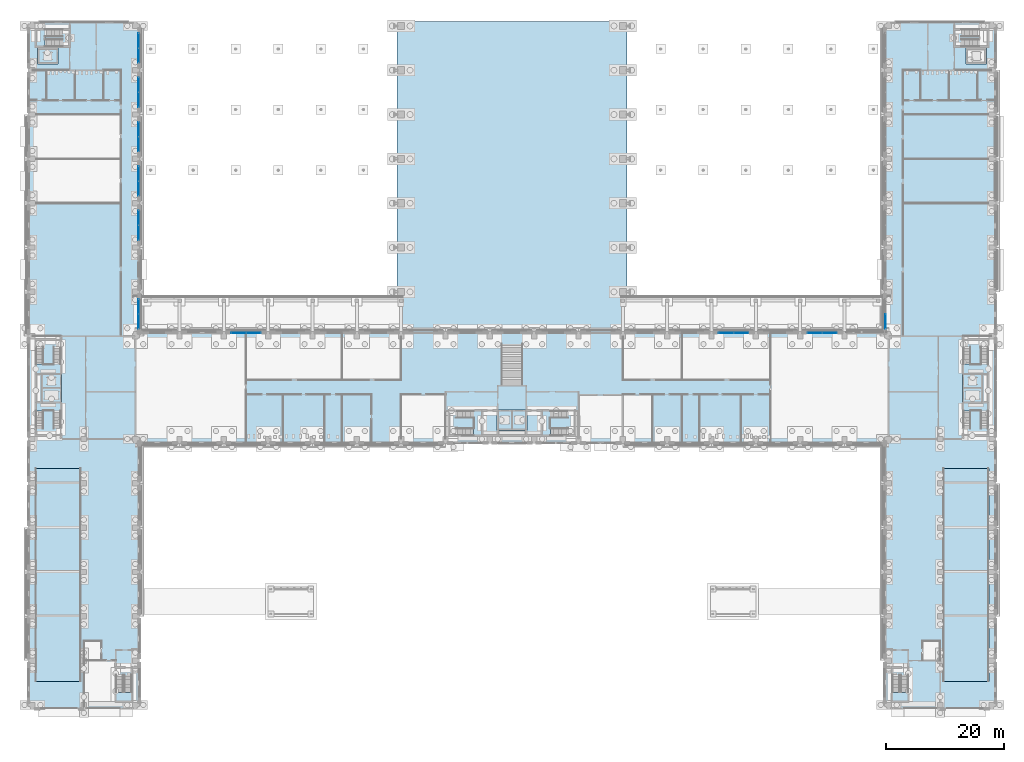
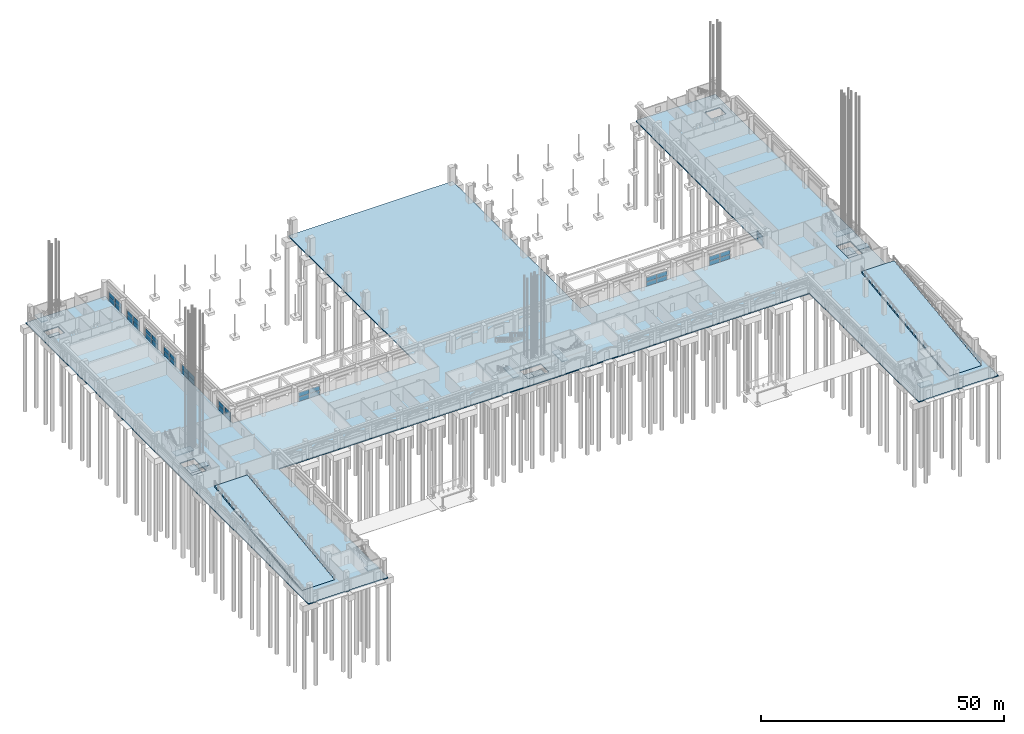
# One storey, part 29 of 99: 38 plates, 19 slabs, 19 elements without a shape of their own.
"""IFC4 building model written with IfcOpenShell, lengths in metres."""

from ifc_helpers import new_model, si_unit, direction, frame, origin, origin_2d, place, context, subcontext, project, spatial, polyline, rectangle, outline, extrude, material, layer, layer_set, type_object, element, aggregate, save


model = new_model("IFC4")

# Units and contexts
model_context = context("Model", 3, precision=1e-05, world=origin(), true_north=direction((0.0, 1.0)))
body_context = subcontext(model_context, "Body", "Model", "MODEL_VIEW")
ifc_project = project(units=[si_unit("LENGTHUNIT", "METRE"), si_unit("AREAUNIT", "SQUARE_METRE"), si_unit("VOLUMEUNIT", "CUBIC_METRE"), si_unit("PLANEANGLEUNIT", "RADIAN"), si_unit("MASSUNIT", "GRAM", prefix="KILO")], contexts=[model_context])

# Site, building, storey
site_placement = place(None, origin())
site = spatial("IfcSite", under=ifc_project, at=site_placement, CompositionType="ELEMENT")
building_placement = place(site_placement, origin())
building = spatial("IfcBuilding", under=site, at=building_placement, Name="Cour d'Honneur Mobility Palace", CompositionType="ELEMENT")
storey_placement = place(building_placement, origin())
storey = spatial("IfcBuildingStorey", under=building, at=storey_placement, Name="L00", CompositionType="ELEMENT", Elevation=0.0)

# Curtain wall, plates
ifc_material_1 = material(Name="Aluminium and glass", Category="aluminium")
ifc_layer_1 = layer(ifc_material_1, 0.10009765625)
ifc_layer_set_1 = layer_set([ifc_layer_1], Name="Aluminium and glass")
curtain_wall_type = type_object("IfcCurtainWallType", Name="Curtain wall run", PredefinedType="NOTDEFINED", material=ifc_layer_set_1)
curtain_wall_1_placement = place(storey_placement, origin())
curtain_wall_1 = element("IfcCurtainWall", 1, at=curtain_wall_1_placement, inside=storey, type_object=curtain_wall_type, Name="Curtain wall CW-6", PredefinedType="NOTDEFINED")
ifc_material_2 = material(Name="Double glazing", Category="glass")
ifc_layer_2 = layer(ifc_material_2, 0.028076171875)
ifc_layer_set_2 = layer_set([ifc_layer_2], Name="Double glazing")
plate_type = type_object("IfcPlateType", Name="Curtain wall panel", PredefinedType="CURTAIN_PANEL", material=ifc_layer_set_2)
plate_1_placement = place(storey_placement, frame((144.35009765625, 64.889892578125, 0.06005859375), z_axis=(0.0, 0.0, 1.0), x_axis=(0.0, -1.0, 0.0)))
plate_1 = element("IfcPlate", 2, at=plate_1_placement, type_object=plate_type, Name="CW-6 panel 2.1", PredefinedType="CURTAIN_PANEL", context=body_context, shape_type="SweptSolid", body=[
    extrude(rectangle(XDim=2.4599609375, YDim=0.028076171875, at=origin_2d()), origin(), (0.0, 0.0, 1.0), 1.110107421875),
])
plate_2_placement = place(storey_placement, frame((144.35009765625, 64.889892578125, 1.22998046875), z_axis=(0.0, 0.0, 1.0), x_axis=(0.0, -1.0, 0.0)))
plate_2 = element("IfcPlate", 3, at=plate_2_placement, type_object=plate_type, Name="CW-6 panel 2.2", PredefinedType="CURTAIN_PANEL", context=body_context, shape_type="SweptSolid", body=[
    extrude(rectangle(XDim=2.4599609375, YDim=0.028076171875, at=origin_2d()), origin(), (0.0, 0.0, 1.0), 1.110107421875),
])
aggregate(curtain_wall_1, [plate_1, plate_2])

curtain_wall_2_placement = place(storey_placement, origin())
curtain_wall_2 = element("IfcCurtainWall", 4, at=curtain_wall_2_placement, inside=storey, type_object=curtain_wall_type, Name="Curtain wall CW-7", PredefinedType="NOTDEFINED")
plate_3_placement = place(storey_placement, frame((134.909912109375, 62.949951171875, 0.06005859375), z_axis=(0.0, 0.0, 1.0), x_axis=(-1.0, 0.0, 0.0)))
plate_3 = element("IfcPlate", 5, at=plate_3_placement, type_object=plate_type, Name="CW-7 panel 1.1", PredefinedType="CURTAIN_PANEL", context=body_context, shape_type="SweptSolid", body=[
    extrude(rectangle(XDim=2.4599609375, YDim=0.028076171875, at=origin_2d()), origin(), (0.0, 0.0, 1.0), 1.110107421875),
])
plate_4_placement = place(storey_placement, frame((134.909912109375, 62.949951171875, 1.22998046875), z_axis=(0.0, 0.0, 1.0), x_axis=(-1.0, 0.0, 0.0)))
plate_4 = element("IfcPlate", 6, at=plate_4_placement, type_object=plate_type, Name="CW-7 panel 1.2", PredefinedType="CURTAIN_PANEL", context=body_context, shape_type="SweptSolid", body=[
    extrude(rectangle(XDim=2.4599609375, YDim=0.028076171875, at=origin_2d()), origin(), (0.0, 0.0, 1.0), 1.110107421875),
])
plate_5_placement = place(storey_placement, frame((132.389892578125, 62.949951171875, 0.06005859375), z_axis=(0.0, 0.0, 1.0), x_axis=(-1.0, 0.0, 0.0)))
plate_5 = element("IfcPlate", 7, at=plate_5_placement, type_object=plate_type, Name="CW-7 panel 2.1", PredefinedType="CURTAIN_PANEL", context=body_context, shape_type="SweptSolid", body=[
    extrude(rectangle(XDim=2.4599609375, YDim=0.028076171875, at=origin_2d()), origin(), (0.0, 0.0, 1.0), 1.110107421875),
])
plate_6_placement = place(storey_placement, frame((132.389892578125, 62.949951171875, 1.22998046875), z_axis=(0.0, 0.0, 1.0), x_axis=(-1.0, 0.0, 0.0)))
plate_6 = element("IfcPlate", 8, at=plate_6_placement, type_object=plate_type, Name="CW-7 panel 2.2", PredefinedType="CURTAIN_PANEL", context=body_context, shape_type="SweptSolid", body=[
    extrude(rectangle(XDim=2.4599609375, YDim=0.028076171875, at=origin_2d()), origin(), (0.0, 0.0, 1.0), 1.110107421875),
])
aggregate(curtain_wall_2, [plate_3, plate_4, plate_5, plate_6])

curtain_wall_3_placement = place(storey_placement, origin())
curtain_wall_3 = element("IfcCurtainWall", 9, at=curtain_wall_3_placement, inside=storey, type_object=curtain_wall_type, Name="Curtain wall CW-8", PredefinedType="NOTDEFINED")
plate_7_placement = place(storey_placement, frame((119.909912109375, 62.949951171875, 0.06005859375), z_axis=(0.0, 0.0, 1.0), x_axis=(-1.0, 0.0, 0.0)))
plate_7 = element("IfcPlate", 10, at=plate_7_placement, type_object=plate_type, Name="CW-8 panel 1.1", PredefinedType="CURTAIN_PANEL", context=body_context, shape_type="SweptSolid", body=[
    extrude(rectangle(XDim=2.4599609375, YDim=0.028076171875, at=origin_2d()), origin(), (0.0, 0.0, 1.0), 1.110107421875),
])
plate_8_placement = place(storey_placement, frame((119.909912109375, 62.949951171875, 1.22998046875), z_axis=(0.0, 0.0, 1.0), x_axis=(-1.0, 0.0, 0.0)))
plate_8 = element("IfcPlate", 11, at=plate_8_placement, type_object=plate_type, Name="CW-8 panel 1.2", PredefinedType="CURTAIN_PANEL", context=body_context, shape_type="SweptSolid", body=[
    extrude(rectangle(XDim=2.4599609375, YDim=0.028076171875, at=origin_2d()), origin(), (0.0, 0.0, 1.0), 1.110107421875),
])
plate_9_placement = place(storey_placement, frame((117.389892578125, 62.949951171875, 0.06005859375), z_axis=(0.0, 0.0, 1.0), x_axis=(-1.0, 0.0, 0.0)))
plate_9 = element("IfcPlate", 12, at=plate_9_placement, type_object=plate_type, Name="CW-8 panel 2.1", PredefinedType="CURTAIN_PANEL", context=body_context, shape_type="SweptSolid", body=[
    extrude(rectangle(XDim=2.4599609375, YDim=0.028076171875, at=origin_2d()), origin(), (0.0, 0.0, 1.0), 1.110107421875),
])
plate_10_placement = place(storey_placement, frame((117.389892578125, 62.949951171875, 1.22998046875), z_axis=(0.0, 0.0, 1.0), x_axis=(-1.0, 0.0, 0.0)))
plate_10 = element("IfcPlate", 13, at=plate_10_placement, type_object=plate_type, Name="CW-8 panel 2.2", PredefinedType="CURTAIN_PANEL", context=body_context, shape_type="SweptSolid", body=[
    extrude(rectangle(XDim=2.4599609375, YDim=0.028076171875, at=origin_2d()), origin(), (0.0, 0.0, 1.0), 1.110107421875),
])
aggregate(curtain_wall_3, [plate_7, plate_8, plate_9, plate_10])

curtain_wall_4_placement = place(storey_placement, origin())
curtain_wall_4 = element("IfcCurtainWall", 14, at=curtain_wall_4_placement, inside=storey, type_object=curtain_wall_type, Name="Curtain wall CW-9", PredefinedType="NOTDEFINED")
plate_11_placement = place(storey_placement, frame((37.409912109375, 62.949951171875, 0.06005859375), z_axis=(0.0, 0.0, 1.0), x_axis=(-1.0, 0.0, 0.0)))
plate_11 = element("IfcPlate", 15, at=plate_11_placement, type_object=plate_type, Name="CW-9 panel 1.1", PredefinedType="CURTAIN_PANEL", context=body_context, shape_type="SweptSolid", body=[
    extrude(rectangle(XDim=2.4599609375, YDim=0.028076171875, at=origin_2d()), origin(), (0.0, 0.0, 1.0), 1.110107421875),
])
plate_12_placement = place(storey_placement, frame((37.409912109375, 62.949951171875, 1.22998046875), z_axis=(0.0, 0.0, 1.0), x_axis=(-1.0, 0.0, 0.0)))
plate_12 = element("IfcPlate", 16, at=plate_12_placement, type_object=plate_type, Name="CW-9 panel 1.2", PredefinedType="CURTAIN_PANEL", context=body_context, shape_type="SweptSolid", body=[
    extrude(rectangle(XDim=2.4599609375, YDim=0.028076171875, at=origin_2d()), origin(), (0.0, 0.0, 1.0), 1.110107421875),
])
plate_13_placement = place(storey_placement, frame((34.889892578125, 62.949951171875, 0.06005859375), z_axis=(0.0, 0.0, 1.0), x_axis=(-1.0, 0.0, 0.0)))
plate_13 = element("IfcPlate", 17, at=plate_13_placement, type_object=plate_type, Name="CW-9 panel 2.1", PredefinedType="CURTAIN_PANEL", context=body_context, shape_type="SweptSolid", body=[
    extrude(rectangle(XDim=2.4599609375, YDim=0.028076171875, at=origin_2d()), origin(), (0.0, 0.0, 1.0), 1.110107421875),
])
plate_14_placement = place(storey_placement, frame((34.889892578125, 62.949951171875, 1.22998046875), z_axis=(0.0, 0.0, 1.0), x_axis=(-1.0, 0.0, 0.0)))
plate_14 = element("IfcPlate", 18, at=plate_14_placement, type_object=plate_type, Name="CW-9 panel 2.2", PredefinedType="CURTAIN_PANEL", context=body_context, shape_type="SweptSolid", body=[
    extrude(rectangle(XDim=2.4599609375, YDim=0.028076171875, at=origin_2d()), origin(), (0.0, 0.0, 1.0), 1.110107421875),
])
aggregate(curtain_wall_4, [plate_11, plate_12, plate_13, plate_14])

curtain_wall_5_placement = place(storey_placement, origin())
curtain_wall_5 = element("IfcCurtainWall", 19, at=curtain_wall_5_placement, inside=storey, type_object=curtain_wall_type, Name="Curtain wall CW-10", PredefinedType="NOTDEFINED")
plate_15_placement = place(storey_placement, frame((17.949951171875, 64.889892578125, 0.06005859375), z_axis=(0.0, 0.0, 1.0), x_axis=(0.0, 1.0, 0.0)))
plate_15 = element("IfcPlate", 20, at=plate_15_placement, type_object=plate_type, Name="CW-10 panel 1.1", PredefinedType="CURTAIN_PANEL", context=body_context, shape_type="SweptSolid", body=[
    extrude(rectangle(XDim=2.4599609375, YDim=0.028076171875, at=origin_2d()), origin(), (0.0, 0.0, 1.0), 1.110107421875),
])
plate_16_placement = place(storey_placement, frame((17.949951171875, 64.889892578125, 1.22998046875), z_axis=(0.0, 0.0, 1.0), x_axis=(0.0, 1.0, 0.0)))
plate_16 = element("IfcPlate", 21, at=plate_16_placement, type_object=plate_type, Name="CW-10 panel 1.2", PredefinedType="CURTAIN_PANEL", context=body_context, shape_type="SweptSolid", body=[
    extrude(rectangle(XDim=2.4599609375, YDim=0.028076171875, at=origin_2d()), origin(), (0.0, 0.0, 1.0), 1.110107421875),
])
plate_17_placement = place(storey_placement, frame((17.949951171875, 67.409912109375, 0.06005859375), z_axis=(0.0, 0.0, 1.0), x_axis=(0.0, 1.0, 0.0)))
plate_17 = element("IfcPlate", 22, at=plate_17_placement, type_object=plate_type, Name="CW-10 panel 2.1", PredefinedType="CURTAIN_PANEL", context=body_context, shape_type="SweptSolid", body=[
    extrude(rectangle(XDim=2.4599609375, YDim=0.028076171875, at=origin_2d()), origin(), (0.0, 0.0, 1.0), 1.110107421875),
])
plate_18_placement = place(storey_placement, frame((17.949951171875, 67.409912109375, 1.22998046875), z_axis=(0.0, 0.0, 1.0), x_axis=(0.0, 1.0, 0.0)))
plate_18 = element("IfcPlate", 23, at=plate_18_placement, type_object=plate_type, Name="CW-10 panel 2.2", PredefinedType="CURTAIN_PANEL", context=body_context, shape_type="SweptSolid", body=[
    extrude(rectangle(XDim=2.4599609375, YDim=0.028076171875, at=origin_2d()), origin(), (0.0, 0.0, 1.0), 1.110107421875),
])
aggregate(curtain_wall_5, [plate_15, plate_16, plate_17, plate_18])

curtain_wall_6_placement = place(storey_placement, origin())
curtain_wall_6 = element("IfcCurtainWall", 24, at=curtain_wall_6_placement, inside=storey, type_object=curtain_wall_type, Name="Curtain wall CW-11", PredefinedType="NOTDEFINED")
plate_19_placement = place(storey_placement, frame((17.949951171875, 79.889892578125, 0.06005859375), z_axis=(0.0, 0.0, 1.0), x_axis=(0.0, 1.0, 0.0)))
plate_19 = element("IfcPlate", 25, at=plate_19_placement, type_object=plate_type, Name="CW-11 panel 1.1", PredefinedType="CURTAIN_PANEL", context=body_context, shape_type="SweptSolid", body=[
    extrude(rectangle(XDim=2.4599609375, YDim=0.028076171875, at=origin_2d()), origin(), (0.0, 0.0, 1.0), 1.110107421875),
])
plate_20_placement = place(storey_placement, frame((17.949951171875, 79.889892578125, 1.22998046875), z_axis=(0.0, 0.0, 1.0), x_axis=(0.0, 1.0, 0.0)))
plate_20 = element("IfcPlate", 26, at=plate_20_placement, type_object=plate_type, Name="CW-11 panel 1.2", PredefinedType="CURTAIN_PANEL", context=body_context, shape_type="SweptSolid", body=[
    extrude(rectangle(XDim=2.4599609375, YDim=0.028076171875, at=origin_2d()), origin(), (0.0, 0.0, 1.0), 1.110107421875),
])
plate_21_placement = place(storey_placement, frame((17.949951171875, 82.409912109375, 0.06005859375), z_axis=(0.0, 0.0, 1.0), x_axis=(0.0, 1.0, 0.0)))
plate_21 = element("IfcPlate", 27, at=plate_21_placement, type_object=plate_type, Name="CW-11 panel 2.1", PredefinedType="CURTAIN_PANEL", context=body_context, shape_type="SweptSolid", body=[
    extrude(rectangle(XDim=2.4599609375, YDim=0.028076171875, at=origin_2d()), origin(), (0.0, 0.0, 1.0), 1.110107421875),
])
plate_22_placement = place(storey_placement, frame((17.949951171875, 82.409912109375, 1.22998046875), z_axis=(0.0, 0.0, 1.0), x_axis=(0.0, 1.0, 0.0)))
plate_22 = element("IfcPlate", 28, at=plate_22_placement, type_object=plate_type, Name="CW-11 panel 2.2", PredefinedType="CURTAIN_PANEL", context=body_context, shape_type="SweptSolid", body=[
    extrude(rectangle(XDim=2.4599609375, YDim=0.028076171875, at=origin_2d()), origin(), (0.0, 0.0, 1.0), 1.110107421875),
])
aggregate(curtain_wall_6, [plate_19, plate_20, plate_21, plate_22])

curtain_wall_7_placement = place(storey_placement, origin())
curtain_wall_7 = element("IfcCurtainWall", 29, at=curtain_wall_7_placement, inside=storey, type_object=curtain_wall_type, Name="Curtain wall CW-12", PredefinedType="NOTDEFINED")
plate_23_placement = place(storey_placement, frame((17.949951171875, 87.389892578125, 0.06005859375), z_axis=(0.0, 0.0, 1.0), x_axis=(0.0, 1.0, 0.0)))
plate_23 = element("IfcPlate", 30, at=plate_23_placement, type_object=plate_type, Name="CW-12 panel 1.1", PredefinedType="CURTAIN_PANEL", context=body_context, shape_type="SweptSolid", body=[
    extrude(rectangle(XDim=2.4599609375, YDim=0.028076171875, at=origin_2d()), origin(), (0.0, 0.0, 1.0), 1.110107421875),
])
plate_24_placement = place(storey_placement, frame((17.949951171875, 87.389892578125, 1.22998046875), z_axis=(0.0, 0.0, 1.0), x_axis=(0.0, 1.0, 0.0)))
plate_24 = element("IfcPlate", 31, at=plate_24_placement, type_object=plate_type, Name="CW-12 panel 1.2", PredefinedType="CURTAIN_PANEL", context=body_context, shape_type="SweptSolid", body=[
    extrude(rectangle(XDim=2.4599609375, YDim=0.028076171875, at=origin_2d()), origin(), (0.0, 0.0, 1.0), 1.110107421875),
])
plate_25_placement = place(storey_placement, frame((17.949951171875, 89.909912109375, 0.06005859375), z_axis=(0.0, 0.0, 1.0), x_axis=(0.0, 1.0, 0.0)))
plate_25 = element("IfcPlate", 32, at=plate_25_placement, type_object=plate_type, Name="CW-12 panel 2.1", PredefinedType="CURTAIN_PANEL", context=body_context, shape_type="SweptSolid", body=[
    extrude(rectangle(XDim=2.4599609375, YDim=0.028076171875, at=origin_2d()), origin(), (0.0, 0.0, 1.0), 1.110107421875),
])
plate_26_placement = place(storey_placement, frame((17.949951171875, 89.909912109375, 1.22998046875), z_axis=(0.0, 0.0, 1.0), x_axis=(0.0, 1.0, 0.0)))
plate_26 = element("IfcPlate", 33, at=plate_26_placement, type_object=plate_type, Name="CW-12 panel 2.2", PredefinedType="CURTAIN_PANEL", context=body_context, shape_type="SweptSolid", body=[
    extrude(rectangle(XDim=2.4599609375, YDim=0.028076171875, at=origin_2d()), origin(), (0.0, 0.0, 1.0), 1.110107421875),
])
aggregate(curtain_wall_7, [plate_23, plate_24, plate_25, plate_26])

curtain_wall_8_placement = place(storey_placement, origin())
curtain_wall_8 = element("IfcCurtainWall", 34, at=curtain_wall_8_placement, inside=storey, type_object=curtain_wall_type, Name="Curtain wall CW-13", PredefinedType="NOTDEFINED")
plate_27_placement = place(storey_placement, frame((17.949951171875, 94.889892578125, 0.06005859375), z_axis=(0.0, 0.0, 1.0), x_axis=(0.0, 1.0, 0.0)))
plate_27 = element("IfcPlate", 35, at=plate_27_placement, type_object=plate_type, Name="CW-13 panel 1.1", PredefinedType="CURTAIN_PANEL", context=body_context, shape_type="SweptSolid", body=[
    extrude(rectangle(XDim=2.4599609375, YDim=0.028076171875, at=origin_2d()), origin(), (0.0, 0.0, 1.0), 1.110107421875),
])
plate_28_placement = place(storey_placement, frame((17.949951171875, 94.889892578125, 1.22998046875), z_axis=(0.0, 0.0, 1.0), x_axis=(0.0, 1.0, 0.0)))
plate_28 = element("IfcPlate", 36, at=plate_28_placement, type_object=plate_type, Name="CW-13 panel 1.2", PredefinedType="CURTAIN_PANEL", context=body_context, shape_type="SweptSolid", body=[
    extrude(rectangle(XDim=2.4599609375, YDim=0.028076171875, at=origin_2d()), origin(), (0.0, 0.0, 1.0), 1.110107421875),
])
plate_29_placement = place(storey_placement, frame((17.949951171875, 97.409912109375, 0.06005859375), z_axis=(0.0, 0.0, 1.0), x_axis=(0.0, 1.0, 0.0)))
plate_29 = element("IfcPlate", 37, at=plate_29_placement, type_object=plate_type, Name="CW-13 panel 2.1", PredefinedType="CURTAIN_PANEL", context=body_context, shape_type="SweptSolid", body=[
    extrude(rectangle(XDim=2.4599609375, YDim=0.028076171875, at=origin_2d()), origin(), (0.0, 0.0, 1.0), 1.110107421875),
])
plate_30_placement = place(storey_placement, frame((17.949951171875, 97.409912109375, 1.22998046875), z_axis=(0.0, 0.0, 1.0), x_axis=(0.0, 1.0, 0.0)))
plate_30 = element("IfcPlate", 38, at=plate_30_placement, type_object=plate_type, Name="CW-13 panel 2.2", PredefinedType="CURTAIN_PANEL", context=body_context, shape_type="SweptSolid", body=[
    extrude(rectangle(XDim=2.4599609375, YDim=0.028076171875, at=origin_2d()), origin(), (0.0, 0.0, 1.0), 1.110107421875),
])
aggregate(curtain_wall_8, [plate_27, plate_28, plate_29, plate_30])

curtain_wall_9_placement = place(storey_placement, origin())
curtain_wall_9 = element("IfcCurtainWall", 39, at=curtain_wall_9_placement, inside=storey, type_object=curtain_wall_type, Name="Curtain wall CW-14", PredefinedType="NOTDEFINED")
plate_31_placement = place(storey_placement, frame((17.949951171875, 102.389892578125, 0.06005859375), z_axis=(0.0, 0.0, 1.0), x_axis=(0.0, 1.0, 0.0)))
plate_31 = element("IfcPlate", 40, at=plate_31_placement, type_object=plate_type, Name="CW-14 panel 1.1", PredefinedType="CURTAIN_PANEL", context=body_context, shape_type="SweptSolid", body=[
    extrude(rectangle(XDim=2.4599609375, YDim=0.028076171875, at=origin_2d()), origin(), (0.0, 0.0, 1.0), 1.110107421875),
])
plate_32_placement = place(storey_placement, frame((17.949951171875, 102.389892578125, 1.22998046875), z_axis=(0.0, 0.0, 1.0), x_axis=(0.0, 1.0, 0.0)))
plate_32 = element("IfcPlate", 41, at=plate_32_placement, type_object=plate_type, Name="CW-14 panel 1.2", PredefinedType="CURTAIN_PANEL", context=body_context, shape_type="SweptSolid", body=[
    extrude(rectangle(XDim=2.4599609375, YDim=0.028076171875, at=origin_2d()), origin(), (0.0, 0.0, 1.0), 1.110107421875),
])
plate_33_placement = place(storey_placement, frame((17.949951171875, 104.909912109375, 0.06005859375), z_axis=(0.0, 0.0, 1.0), x_axis=(0.0, 1.0, 0.0)))
plate_33 = element("IfcPlate", 42, at=plate_33_placement, type_object=plate_type, Name="CW-14 panel 2.1", PredefinedType="CURTAIN_PANEL", context=body_context, shape_type="SweptSolid", body=[
    extrude(rectangle(XDim=2.4599609375, YDim=0.028076171875, at=origin_2d()), origin(), (0.0, 0.0, 1.0), 1.110107421875),
])
plate_34_placement = place(storey_placement, frame((17.949951171875, 104.909912109375, 1.22998046875), z_axis=(0.0, 0.0, 1.0), x_axis=(0.0, 1.0, 0.0)))
plate_34 = element("IfcPlate", 43, at=plate_34_placement, type_object=plate_type, Name="CW-14 panel 2.2", PredefinedType="CURTAIN_PANEL", context=body_context, shape_type="SweptSolid", body=[
    extrude(rectangle(XDim=2.4599609375, YDim=0.028076171875, at=origin_2d()), origin(), (0.0, 0.0, 1.0), 1.110107421875),
])
aggregate(curtain_wall_9, [plate_31, plate_32, plate_33, plate_34])

curtain_wall_10_placement = place(storey_placement, origin())
curtain_wall_10 = element("IfcCurtainWall", 44, at=curtain_wall_10_placement, inside=storey, type_object=curtain_wall_type, Name="Curtain wall CW-15", PredefinedType="NOTDEFINED")
plate_35_placement = place(storey_placement, frame((17.949951171875, 109.889892578125, 0.06005859375), z_axis=(0.0, 0.0, 1.0), x_axis=(0.0, 1.0, 0.0)))
plate_35 = element("IfcPlate", 45, at=plate_35_placement, type_object=plate_type, Name="CW-15 panel 1.1", PredefinedType="CURTAIN_PANEL", context=body_context, shape_type="SweptSolid", body=[
    extrude(rectangle(XDim=2.4599609375, YDim=0.028076171875, at=origin_2d()), origin(), (0.0, 0.0, 1.0), 1.110107421875),
])
plate_36_placement = place(storey_placement, frame((17.949951171875, 109.889892578125, 1.22998046875), z_axis=(0.0, 0.0, 1.0), x_axis=(0.0, 1.0, 0.0)))
plate_36 = element("IfcPlate", 46, at=plate_36_placement, type_object=plate_type, Name="CW-15 panel 1.2", PredefinedType="CURTAIN_PANEL", context=body_context, shape_type="SweptSolid", body=[
    extrude(rectangle(XDim=2.4599609375, YDim=0.028076171875, at=origin_2d()), origin(), (0.0, 0.0, 1.0), 1.110107421875),
])
plate_37_placement = place(storey_placement, frame((17.949951171875, 112.409912109375, 0.06005859375), z_axis=(0.0, 0.0, 1.0), x_axis=(0.0, 1.0, 0.0)))
plate_37 = element("IfcPlate", 47, at=plate_37_placement, type_object=plate_type, Name="CW-15 panel 2.1", PredefinedType="CURTAIN_PANEL", context=body_context, shape_type="SweptSolid", body=[
    extrude(rectangle(XDim=2.4599609375, YDim=0.028076171875, at=origin_2d()), origin(), (0.0, 0.0, 1.0), 1.110107421875),
])
plate_38_placement = place(storey_placement, frame((17.949951171875, 112.409912109375, 1.22998046875), z_axis=(0.0, 0.0, 1.0), x_axis=(0.0, 1.0, 0.0)))
plate_38 = element("IfcPlate", 48, at=plate_38_placement, type_object=plate_type, Name="CW-15 panel 2.2", PredefinedType="CURTAIN_PANEL", context=body_context, shape_type="SweptSolid", body=[
    extrude(rectangle(XDim=2.4599609375, YDim=0.028076171875, at=origin_2d()), origin(), (0.0, 0.0, 1.0), 1.110107421875),
])
aggregate(curtain_wall_10, [plate_35, plate_36, plate_37, plate_38])

# Slabs
ifc_material_3 = material(Name="Concrete C40", Category="concrete")
ifc_layer_3 = layer(ifc_material_3, 0.39990234375)
ifc_layer_set_3 = layer_set([ifc_layer_3], Name="Concrete C40")
slab_type_1 = type_object("IfcSlabType", Name="Lift pit slab 400", PredefinedType="BASESLAB", material=ifc_layer_set_3)
slab_1_placement = place(storey_placement, frame((0.0, 0.0, -1.800048828125)))
element("IfcSlab", 49, at=slab_1_placement, inside=storey, type_object=slab_type_1, Name="Lift pit slab CW.L1", PredefinedType="BASESLAB", context=body_context, shape_type="SweptSolid", body=[
    extrude(outline(polyline([(1.52490234375, 51.074951171875), (4.925048828125, 51.074951171875), (4.925048828125, 53.60009765625), (1.52490234375, 53.60009765625), (1.52490234375, 51.074951171875)])), origin(), (0.0, 0.0, 1.0), 0.400146484375),
])
slab_2_placement = place(storey_placement, frame((0.0, 0.0, -1.800048828125)))
element("IfcSlab", 50, at=slab_2_placement, inside=storey, type_object=slab_type_1, Name="Lift pit slab CW.L2", PredefinedType="BASESLAB", context=body_context, shape_type="SweptSolid", body=[
    extrude(outline(polyline([(1.52490234375, 53.60009765625), (4.925048828125, 53.60009765625), (4.925048828125, 56.125), (1.52490234375, 56.125), (1.52490234375, 53.60009765625)])), origin(), (0.0, 0.0, 1.0), 0.400146484375),
])
slab_3_placement = place(storey_placement, frame((0.0, 0.0, -1.800048828125)))
element("IfcSlab", 51, at=slab_3_placement, inside=storey, type_object=slab_type_1, Name="Lift pit slab CE.L1", PredefinedType="BASESLAB", context=body_context, shape_type="SweptSolid", body=[
    extrude(outline(polyline([(157.375, 51.074951171875), (160.77490234375, 51.074951171875), (160.77490234375, 53.60009765625), (157.375, 53.60009765625), (157.375, 51.074951171875)])), origin(), (0.0, 0.0, 1.0), 0.400146484375),
])
slab_4_placement = place(storey_placement, frame((0.0, 0.0, -1.800048828125)))
element("IfcSlab", 52, at=slab_4_placement, inside=storey, type_object=slab_type_1, Name="Lift pit slab CE.L2", PredefinedType="BASESLAB", context=body_context, shape_type="SweptSolid", body=[
    extrude(outline(polyline([(157.375, 53.60009765625), (160.77490234375, 53.60009765625), (160.77490234375, 56.125), (157.375, 56.125), (157.375, 53.60009765625)])), origin(), (0.0, 0.0, 1.0), 0.400146484375),
])
slab_5_placement = place(storey_placement, frame((0.0, 0.0, -1.800048828125)))
element("IfcSlab", 53, at=slab_5_placement, inside=storey, type_object=slab_type_1, Name="Lift pit slab CC.L1", PredefinedType="BASESLAB", context=body_context, shape_type="SweptSolid", body=[
    extrude(outline(polyline([(78.625, 46.47509765625), (81.14990234375, 46.47509765625), (81.14990234375, 49.925048828125), (78.625, 49.925048828125), (78.625, 46.47509765625)])), origin(), (0.0, 0.0, 1.0), 0.400146484375),
])
slab_6_placement = place(storey_placement, frame((0.0, 0.0, -1.800048828125)))
element("IfcSlab", 54, at=slab_6_placement, inside=storey, type_object=slab_type_1, Name="Lift pit slab CC.L2", PredefinedType="BASESLAB", context=body_context, shape_type="SweptSolid", body=[
    extrude(outline(polyline([(81.14990234375, 46.47509765625), (83.675048828125, 46.47509765625), (83.675048828125, 49.925048828125), (81.14990234375, 49.925048828125), (81.14990234375, 46.47509765625)])), origin(), (0.0, 0.0, 1.0), 0.400146484375),
])
slab_7_placement = place(storey_placement, frame((0.0, 0.0, -1.800048828125)))
element("IfcSlab", 55, at=slab_7_placement, inside=storey, type_object=slab_type_1, Name="Lift pit slab NW.L1", PredefinedType="BASESLAB", context=body_context, shape_type="SweptSolid", body=[
    extrude(outline(polyline([(0.875, 108.47509765625), (4.324951171875, 108.47509765625), (4.324951171875, 111.125), (0.875, 111.125), (0.875, 108.47509765625)])), origin(), (0.0, 0.0, 1.0), 0.400146484375),
])
ifc_material_4 = material(Name="Concrete C40", Category="concrete")
ifc_layer_4 = layer(ifc_material_4, 0.25)
ifc_layer_set_4 = layer_set([ifc_layer_4], Name="Concrete C40")
slab_type_2 = type_object("IfcSlabType", Name="Slab on grade 250", PredefinedType="BASESLAB", material=ifc_layer_set_4)
slab_8_placement = place(storey_placement, frame((0.0, 0.0, -0.25)))
element("IfcSlab", 56, at=slab_8_placement, inside=storey, type_object=slab_type_2, Name="Slab on grade SOG-1", PredefinedType="BASESLAB", context=body_context, shape_type="SweptSolid", body=[
    extrude(outline(polyline([(-0.75, 45.75), (-0.75, 61.64990234375), (-0.75, 63.14990234375), (-0.75, 115.64990234375), (18.14990234375, 115.64990234375), (18.14990234375, 63.14990234375), (61.64990234375, 63.14990234375), (61.64990234375, 115.64990234375), (100.64990234375, 115.64990234375), (100.64990234375, 63.14990234375), (144.14990234375, 63.14990234375), (144.14990234375, 115.64990234375), (163.050048828125, 115.64990234375), (163.050048828125, 63.14990234375), (163.050048828125, 61.64990234375), (163.050048828125, 45.75), (163.050048828125, 44.25), (163.050048828125, -0.75), (144.14990234375, -0.75), (144.14990234375, 44.25), (18.14990234375, 44.25), (18.14990234375, -0.75), (-0.75, -0.75), (-0.75, 44.25), (-0.75, 45.75)]), holes=[polyline([(78.625, 49.925048828125), (83.675048828125, 49.925048828125), (83.675048828125, 46.47509765625), (78.625, 46.47509765625), (78.625, 49.925048828125)]), polyline([(1.52490234375, 56.125), (4.925048828125, 56.125), (4.925048828125, 51.074951171875), (1.52490234375, 51.074951171875), (1.52490234375, 56.125)]), polyline([(157.375, 56.125), (160.77490234375, 56.125), (160.77490234375, 51.074951171875), (157.375, 51.074951171875), (157.375, 56.125)]), polyline([(4.324951171875, 111.125), (4.324951171875, 108.47509765625), (0.875, 108.47509765625), (0.875, 111.125), (4.324951171875, 111.125)]), polyline([(161.425048828125, 111.125), (161.425048828125, 108.47509765625), (157.97509765625, 108.47509765625), (157.97509765625, 111.125), (161.425048828125, 111.125)])]), origin(), (0.0, 0.0, 1.0), 0.25),
])

# Stair, slab
ifc_material_5 = material(Name="Concrete C50", Category="concrete")
stair_type = type_object("IfcStairType", Name="Stair 24 risers", PredefinedType="HALF_TURN_STAIR", material=ifc_material_5)
stair_1_placement = place(storey_placement, origin())
stair_1 = element("IfcStair", 57, at=stair_1_placement, inside=storey, type_object=stair_type, Name="Stair ST-CW1", PredefinedType="HALF_TURN_STAIR")
ifc_material_6 = material(Name="Concrete C50", Category="concrete")
ifc_layer_5 = layer(ifc_material_6, 0.199951171875)
ifc_layer_set_5 = layer_set([ifc_layer_5], Name="Concrete C50")
slab_type_3 = type_object("IfcSlabType", Name="Stair landing", PredefinedType="LANDING", material=ifc_layer_set_5)
slab_9_placement = place(storey_placement, frame((0.0, 0.0, 2.050048828125)))
slab_9 = element("IfcSlab", 58, at=slab_9_placement, type_object=slab_type_3, Name="ST-CW1 landing 1", PredefinedType="LANDING", context=body_context, shape_type="SweptSolid", body=[
    extrude(outline(polyline([(0.574951171875, 49.7451171875), (4.800048828125, 49.7451171875), (4.800048828125, 51.199951171875), (0.574951171875, 51.199951171875), (0.574951171875, 49.7451171875)])), origin(), (0.0, 0.0, 1.0), 0.199951171875),
])
aggregate(stair_1, [slab_9])

stair_2_placement = place(storey_placement, origin())
stair_2 = element("IfcStair", 59, at=stair_2_placement, inside=storey, type_object=stair_type, Name="Stair ST-CW2", PredefinedType="HALF_TURN_STAIR")
slab_10_placement = place(storey_placement, frame((0.0, 0.0, 2.050048828125)))
slab_10 = element("IfcSlab", 60, at=slab_10_placement, type_object=slab_type_3, Name="ST-CW2 landing 1", PredefinedType="LANDING", context=body_context, shape_type="SweptSolid", body=[
    extrude(outline(polyline([(0.574951171875, 56.0), (4.800048828125, 56.0), (4.800048828125, 57.655029296875), (0.574951171875, 57.655029296875), (0.574951171875, 56.0)])), origin(), (0.0, 0.0, 1.0), 0.199951171875),
])
aggregate(stair_2, [slab_10])

stair_3_placement = place(storey_placement, origin())
stair_3 = element("IfcStair", 61, at=stair_3_placement, inside=storey, type_object=stair_type, Name="Stair ST-CE1", PredefinedType="HALF_TURN_STAIR")
slab_11_placement = place(storey_placement, frame((0.0, 0.0, 2.050048828125)))
slab_11 = element("IfcSlab", 62, at=slab_11_placement, type_object=slab_type_3, Name="ST-CE1 landing 1", PredefinedType="LANDING", context=body_context, shape_type="SweptSolid", body=[
    extrude(outline(polyline([(157.5, 49.7451171875), (161.72509765625, 49.7451171875), (161.72509765625, 51.199951171875), (157.5, 51.199951171875), (157.5, 49.7451171875)])), origin(), (0.0, 0.0, 1.0), 0.199951171875),
])
aggregate(stair_3, [slab_11])

stair_4_placement = place(storey_placement, origin())
stair_4 = element("IfcStair", 63, at=stair_4_placement, inside=storey, type_object=stair_type, Name="Stair ST-CE2", PredefinedType="HALF_TURN_STAIR")
slab_12_placement = place(storey_placement, frame((0.0, 0.0, 2.050048828125)))
slab_12 = element("IfcSlab", 64, at=slab_12_placement, type_object=slab_type_3, Name="ST-CE2 landing 1", PredefinedType="LANDING", context=body_context, shape_type="SweptSolid", body=[
    extrude(outline(polyline([(157.5, 56.0), (161.72509765625, 56.0), (161.72509765625, 57.655029296875), (157.5, 57.655029296875), (157.5, 56.0)])), origin(), (0.0, 0.0, 1.0), 0.199951171875),
])
aggregate(stair_4, [slab_12])

stair_5_placement = place(storey_placement, origin())
stair_5 = element("IfcStair", 65, at=stair_5_placement, inside=storey, type_object=stair_type, Name="Stair ST-CC1", PredefinedType="HALF_TURN_STAIR")
slab_13_placement = place(storey_placement, frame((0.0, 0.0, 2.050048828125)))
slab_13 = element("IfcSlab", 66, at=slab_13_placement, type_object=slab_type_3, Name="ST-CC1 landing 1", PredefinedType="LANDING", context=body_context, shape_type="SweptSolid", body=[
    extrude(outline(polyline([(74.64501953125, 45.574951171875), (76.10009765625, 45.574951171875), (76.10009765625, 49.800048828125), (74.64501953125, 49.800048828125), (74.64501953125, 45.574951171875)])), origin(), (0.0, 0.0, 1.0), 0.199951171875),
])
aggregate(stair_5, [slab_13])

stair_6_placement = place(storey_placement, origin())
stair_6 = element("IfcStair", 67, at=stair_6_placement, inside=storey, type_object=stair_type, Name="Stair ST-CC2", PredefinedType="HALF_TURN_STAIR")
slab_14_placement = place(storey_placement, frame((0.0, 0.0, 2.050048828125)))
slab_14 = element("IfcSlab", 68, at=slab_14_placement, type_object=slab_type_3, Name="ST-CC2 landing 1", PredefinedType="LANDING", context=body_context, shape_type="SweptSolid", body=[
    extrude(outline(polyline([(86.199951171875, 45.574951171875), (87.655029296875, 45.574951171875), (87.655029296875, 49.800048828125), (86.199951171875, 49.800048828125), (86.199951171875, 45.574951171875)])), origin(), (0.0, 0.0, 1.0), 0.199951171875),
])
aggregate(stair_6, [slab_14])

stair_7_placement = place(storey_placement, origin())
stair_7 = element("IfcStair", 69, at=stair_7_placement, inside=storey, type_object=stair_type, Name="Stair ST-NW1", PredefinedType="HALF_TURN_STAIR")
slab_15_placement = place(storey_placement, frame((0.0, 0.0, 2.050048828125)))
slab_15 = element("IfcSlab", 70, at=slab_15_placement, type_object=slab_type_3, Name="ST-NW1 landing 1", PredefinedType="LANDING", context=body_context, shape_type="SweptSolid", body=[
    extrude(outline(polyline([(0.574951171875, 111.39990234375), (2.1298828125, 111.39990234375), (2.1298828125, 114.324951171875), (0.574951171875, 114.324951171875), (0.574951171875, 111.39990234375)])), origin(), (0.0, 0.0, 1.0), 0.199951171875),
])
aggregate(stair_7, [slab_15])

stair_8_placement = place(storey_placement, origin())
stair_8 = element("IfcStair", 71, at=stair_8_placement, inside=storey, type_object=stair_type, Name="Stair ST-RW1", PredefinedType="HALF_TURN_STAIR")
slab_16_placement = place(storey_placement, frame((0.0, 0.0, 2.050048828125)))
slab_16 = element("IfcSlab", 72, at=slab_16_placement, type_object=slab_type_3, Name="ST-RW1 landing 1", PredefinedType="LANDING", context=body_context, shape_type="SweptSolid", body=[
    extrude(outline(polyline([(14.10009765625, 0.574951171875), (16.824951171875, 0.574951171875), (16.824951171875, 2.1298828125), (14.10009765625, 2.1298828125), (14.10009765625, 0.574951171875)])), origin(), (0.0, 0.0, 1.0), 0.199951171875),
])
aggregate(stair_8, [slab_16])

stair_9_placement = place(storey_placement, origin())
stair_9 = element("IfcStair", 73, at=stair_9_placement, inside=storey, type_object=stair_type, Name="Stair ST-RE1", PredefinedType="HALF_TURN_STAIR")
slab_17_placement = place(storey_placement, frame((0.0, 0.0, 2.050048828125)))
slab_17 = element("IfcSlab", 74, at=slab_17_placement, type_object=slab_type_3, Name="ST-RE1 landing 1", PredefinedType="LANDING", context=body_context, shape_type="SweptSolid", body=[
    extrude(outline(polyline([(145.47509765625, 0.574951171875), (148.199951171875, 0.574951171875), (148.199951171875, 2.1298828125), (145.47509765625, 2.1298828125), (145.47509765625, 0.574951171875)])), origin(), (0.0, 0.0, 1.0), 0.199951171875),
])
aggregate(stair_9, [slab_17])

# Slabs
ifc_material_7 = material(Name="Concrete C45", Category="concrete")
ifc_layer_6 = layer(ifc_material_7, 0.39990234375)
ifc_layer_set_6 = layer_set([ifc_layer_6], Name="Concrete C45")
slab_type_4 = type_object("IfcSlabType", Name="Vehicle ramp slab 400", PredefinedType="USERDEFINED", material=ifc_layer_set_6)
for number, where, z_axis, x_axis, name in (
    (75, (0.449951171875, 4.0, 0.0), (0.0, -0.124034734589, 0.992277876714), (1.0, 0.0, 0.0), "Vehicle ramp West 1 slab"),
    (76, (154.10009765625, 4.0, 0.0), (0.0, -0.124034734589, 0.992277876714), (1.0, 0.0, 0.0), "Vehicle ramp East 1 slab"),
):
    element("IfcSlab", number, at=place(storey_placement, frame(where, z_axis=z_axis, x_axis=x_axis)), inside=storey, type_object=slab_type_4, Name=name, ObjectType="VEHICLE RAMP SLAB", PredefinedType="USERDEFINED", context=body_context, shape_type="SweptSolid", body=[
        extrude(outline(polyline([(0.0, 0.0), (7.75, 0.0), (7.75, 36.28015986734347), (0.0, 36.28015986734347), (0.0, 0.0)])), origin(), (0.0, 0.0, -1.0), 0.39990234375),
    ])

save(model, "model.ifc")
